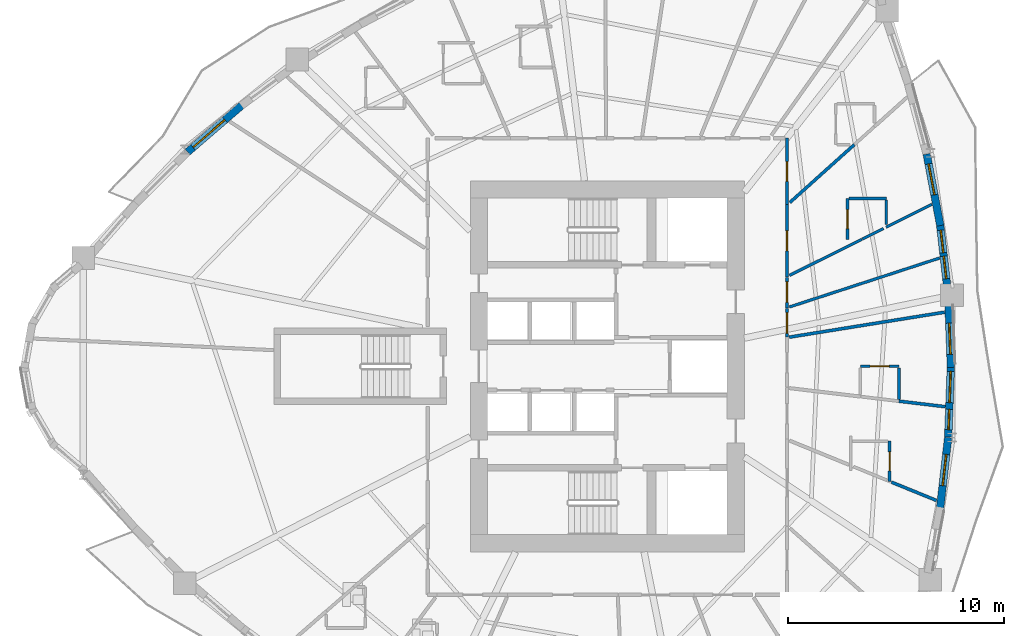
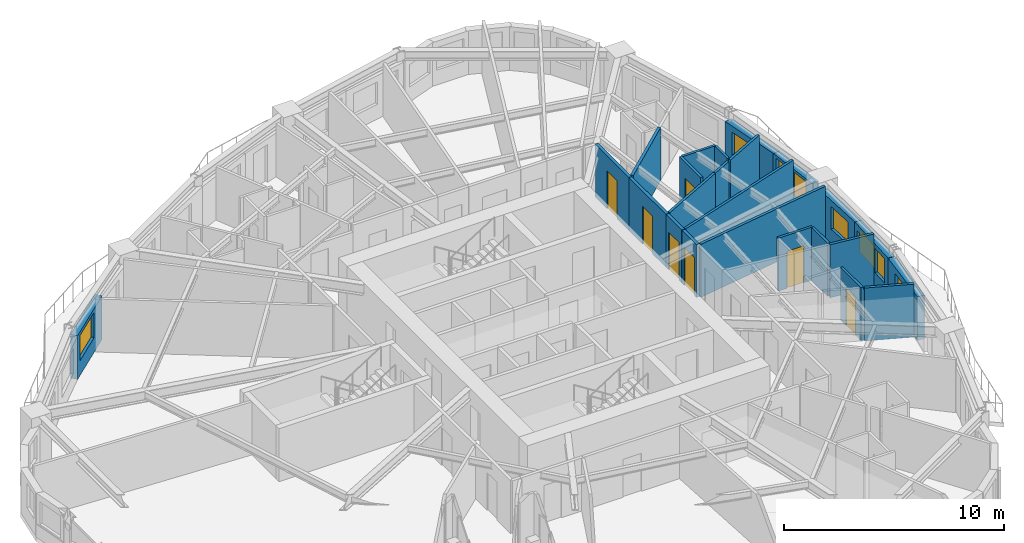
# One storey, part 7 of 14: 24 walls, 8 windows, 7 doors, 15 openings.
"""IFC4 building model written with IfcOpenShell, lengths in metres."""

from ifc_helpers import new_model, si_unit, direction, frame, frame_2d, origin, place, context, subcontext, project, spatial, rectangle, extrude, source, transform, mapped, material, layer, layer_set, type_object, element, fill, save


model = new_model("IFC4")

# Units and contexts
model_context = context("Model", 3, precision=1e-05, world=origin(), true_north=direction((0.0, 1.0)))
body_context = subcontext(model_context, "Body", "Model", "MODEL_VIEW")
ifc_project = project(units=[si_unit("LENGTHUNIT", "METRE"), si_unit("AREAUNIT", "SQUARE_METRE"), si_unit("VOLUMEUNIT", "CUBIC_METRE"), si_unit("PLANEANGLEUNIT", "RADIAN"), si_unit("MASSUNIT", "GRAM", prefix="KILO")], contexts=[model_context])

# Site, building, storey
site_placement = place(None, origin())
site = spatial("IfcSite", under=ifc_project, at=site_placement, CompositionType="ELEMENT")
building_placement = place(site_placement, origin())
building = spatial("IfcBuilding", under=site, at=building_placement, Name="Qafzar Sky-Pleat Residences", CompositionType="ELEMENT")
storey_placement = place(building_placement, frame((0.0, 0.0, 43.0)))
storey = spatial("IfcBuildingStorey", under=building, at=storey_placement, Name="L12", CompositionType="ELEMENT", Elevation=43.0)

# Wall, opening, door
ifc_material_1 = material(Name="Acoustic gypsum plasterboard partition", Category="gypsum")
ifc_layer_1 = layer(ifc_material_1, 0.159912109375)
ifc_layer_set_1 = layer_set([ifc_layer_1], Name="Acoustic gypsum plasterboard partition")
wall_type_1 = type_object("IfcWallType", Name="PART-COR-160", PredefinedType="PARTITIONING", material=ifc_layer_set_1)
wall_1_placement = place(storey_placement, frame((38.679931640625, 33.49609375, 0.0), z_axis=(0.0, 0.0, 1.0), x_axis=(0.0, -1.0, 0.0)))
wall_1 = element("IfcWall", 1, at=wall_1_placement, inside=storey, type_object=wall_type_1, Name="L12 Partition Wall PART-L12-PW-007", PredefinedType="PARTITIONING", context=body_context, shape_type="SweptSolid", body=[
    extrude(rectangle(XDim=3.35498046875, YDim=0.159912109375, at=frame_2d((1.677490234375, 0.0))), origin(), (0.0, 0.0, 1.0), 2.93994140625),
])
opening_1_placement = place(wall_1_placement, frame((1.218994140625, 0.0, 0.0)))
opening_1 = element("IfcOpeningElement", 2, at=opening_1_placement, cuts=wall_1, Name="Opening ID-04", PredefinedType="OPENING", context=body_context, shape_type="SweptSolid", body=[
    extrude(rectangle(XDim=0.919921875, YDim=2.10009765625, at=frame_2d((0.4599609375, 1.050048828125))), frame((0.0, 0.08984375, 0.0), z_axis=(0.0, -1.0, 0.0), x_axis=(1.0, 0.0, 0.0)), (0.0, 0.0, 1.0), 0.179931640625),
])
ifc_material_2 = material(Name="Timber-faced fire door", Category="wood")
door_type_1 = type_object("IfcDoorType", Name="DR-BED-920", OperationType="NOTDEFINED", PredefinedType="DOOR", material=ifc_material_2)
shared_shape_1 = source(origin(), body_context, "Body", "SweptSolid", [
    extrude(rectangle(XDim=0.919921875, YDim=2.10009765625, at=frame_2d((0.4599609375, 1.050048828125))), frame((0.0, 0.02490234375, 0.0), z_axis=(0.0, -1.0, 0.0), x_axis=(1.0, 0.0, 0.0)), (0.0, 0.0, 1.0), 0.050048828125),
])
door_1_placement = place(opening_1_placement, origin())
door_1 = element("IfcDoor", 3, at=door_1_placement, inside=storey, type_object=door_type_1, Name="L12 Co-Living Bedroom 8 Door", OperationType="SINGLE_SWING_RIGHT", OverallHeight=2.10009765625, OverallWidth=0.919921875, PredefinedType="DOOR", context=body_context, shape_type="MappedRepresentation", body=[
    mapped(shared_shape_1, transform((0.0, 0.0, 0.0), x_axis=(1.0, 0.0, 0.0), y_axis=(0.0, 1.0, 0.0), z_axis=(0.0, 0.0, 1.0), scale=1.0)),
])
fill(opening_1, door_1)

wall_2_placement = place(storey_placement, frame((38.679931640625, 36.580078125, 0.0), z_axis=(0.0, 0.0, 1.0), x_axis=(0.0, -1.0, 0.0)))
wall_2 = element("IfcWall", 4, at=wall_2_placement, inside=storey, type_object=wall_type_1, Name="L12 Partition Wall PART-L12-PW-011", PredefinedType="PARTITIONING", context=body_context, shape_type="SweptSolid", body=[
    extrude(rectangle(XDim=3.069091796875, YDim=0.159912109375, at=frame_2d((1.53466796875, 0.0))), origin(), (0.0, 0.0, 1.0), 2.93994140625),
])
opening_2_placement = place(wall_2_placement, frame((1.092041015625, 0.0, 0.0)))
opening_2 = element("IfcOpeningElement", 5, at=opening_2_placement, cuts=wall_2, Name="Opening ID-04", PredefinedType="OPENING", context=body_context, shape_type="SweptSolid", body=[
    extrude(rectangle(XDim=0.919921875, YDim=2.10009765625, at=frame_2d((0.4599609375, 1.050048828125))), frame((0.0, 0.08984375, 0.0), z_axis=(0.0, -1.0, 0.0), x_axis=(1.0, 0.0, 0.0)), (0.0, 0.0, 1.0), 0.179931640625),
])
door_2_placement = place(opening_2_placement, origin())
door_2 = element("IfcDoor", 6, at=door_2_placement, inside=storey, type_object=door_type_1, Name="L12 Co-Living Bedroom 7 Door", OperationType="SINGLE_SWING_RIGHT", OverallHeight=2.10009765625, OverallWidth=0.919921875, PredefinedType="DOOR", context=body_context, shape_type="MappedRepresentation", body=[
    mapped(shared_shape_1, transform((0.0, 0.0, 0.0), x_axis=(1.0, 0.0, 0.0), y_axis=(0.0, 1.0, 0.0), z_axis=(0.0, 0.0, 1.0), scale=1.0)),
])
fill(opening_2, door_2)

wall_3_placement = place(storey_placement, frame((38.679931640625, 30.1259765625, 0.0), z_axis=(0.0, 0.0, 1.0), x_axis=(0.0, -1.0, 0.0)))
wall_3 = element("IfcWall", 7, at=wall_3_placement, inside=storey, type_object=wall_type_1, Name="L12 Partition Wall PART-L12-PW-033", PredefinedType="PARTITIONING", context=body_context, shape_type="SweptSolid", body=[
    extrude(rectangle(XDim=1.426025390625, YDim=0.159912109375, at=frame_2d((0.712890625, 0.0))), origin(), (0.0, 0.0, 1.0), 2.93994140625),
])
opening_3_placement = place(wall_3_placement, frame((0.214111328125, 0.0, 0.0)))
opening_3 = element("IfcOpeningElement", 8, at=opening_3_placement, cuts=wall_3, Name="Opening ID-08", PredefinedType="OPENING", context=body_context, shape_type="SweptSolid", body=[
    extrude(rectangle(XDim=0.949951171875, YDim=2.10009765625, at=frame_2d((0.47509765625, 1.050048828125))), frame((0.0, 0.08984375, 0.0), z_axis=(0.0, -1.0, 0.0), x_axis=(1.0, 0.0, 0.0)), (0.0, 0.0, 1.0), 0.179931640625),
])
door_type_2 = type_object("IfcDoorType", Name="DR-AWC-950", OperationType="NOTDEFINED", PredefinedType="DOOR", material=ifc_material_2)
shared_shape_2 = source(origin(), body_context, "Body", "SweptSolid", [
    extrude(rectangle(XDim=0.949951171875, YDim=2.10009765625, at=frame_2d((0.47509765625, 1.050048828125))), frame((0.0, 0.02490234375, 0.0), z_axis=(0.0, -1.0, 0.0), x_axis=(1.0, 0.0, 0.0)), (0.0, 0.0, 1.0), 0.050048828125),
])
door_3_placement = place(opening_3_placement, origin())
door_3 = element("IfcDoor", 9, at=door_3_placement, inside=storey, type_object=door_type_2, Name="L12 Accessible Shared Washroom Door", OperationType="SINGLE_SWING_LEFT", OverallHeight=2.10009765625, OverallWidth=0.949951171875, PredefinedType="DOOR", context=body_context, shape_type="MappedRepresentation", body=[
    mapped(shared_shape_2, transform((0.0, 0.0, 0.0), x_axis=(1.0, 0.0, 0.0), y_axis=(0.0, 1.0, 0.0), z_axis=(0.0, 0.0, 1.0), scale=1.0)),
])
fill(opening_3, door_3)

wall_4_placement = place(storey_placement, frame((38.679931640625, 28.68505859375, 0.0), z_axis=(0.0, 0.0, 1.0), x_axis=(0.0, -1.0, 0.0)))
wall_4 = element("IfcWall", 10, at=wall_4_placement, inside=storey, type_object=wall_type_1, Name="L12 Partition Wall PART-L12-PW-035", PredefinedType="PARTITIONING", context=body_context, shape_type="SweptSolid", body=[
    extrude(rectangle(XDim=1.317138671875, YDim=0.159912109375, at=frame_2d((0.65869140625, 0.0))), origin(), (0.0, 0.0, 1.0), 2.93994140625),
])
opening_4_placement = place(wall_4_placement, frame((0.1962890625, 0.0, 0.0)))
opening_4 = element("IfcOpeningElement", 11, at=opening_4_placement, cuts=wall_4, Name="Opening ID-06", PredefinedType="OPENING", context=body_context, shape_type="SweptSolid", body=[
    extrude(rectangle(XDim=0.9599609375, YDim=2.10009765625, at=frame_2d((0.47998046875, 1.050048828125))), frame((0.0, 0.08984375, 0.0), z_axis=(0.0, -1.0, 0.0), x_axis=(1.0, 0.0, 0.0)), (0.0, 0.0, 1.0), 0.179931640625),
])
door_type_3 = type_object("IfcDoorType", Name="DR-STD-960", OperationType="NOTDEFINED", PredefinedType="DOOR", material=ifc_material_2)
shared_shape_3 = source(origin(), body_context, "Body", "SweptSolid", [
    extrude(rectangle(XDim=0.9599609375, YDim=2.10009765625, at=frame_2d((0.47998046875, 1.050048828125))), frame((0.0, 0.02490234375, 0.0), z_axis=(0.0, -1.0, 0.0), x_axis=(1.0, 0.0, 0.0)), (0.0, 0.0, 1.0), 0.050048828125),
])
door_4_placement = place(opening_4_placement, origin())
door_4 = element("IfcDoor", 12, at=door_4_placement, inside=storey, type_object=door_type_3, Name="L12 Scholar Study Room Door", OperationType="SINGLE_SWING_LEFT", OverallHeight=2.10009765625, OverallWidth=0.9599609375, PredefinedType="DOOR", context=body_context, shape_type="MappedRepresentation", body=[
    mapped(shared_shape_3, transform((0.0, 0.0, 0.0), x_axis=(1.0, 0.0, 0.0), y_axis=(0.0, 1.0, 0.0), z_axis=(0.0, 0.0, 1.0), scale=1.0)),
])
fill(opening_4, door_4)

# Walls
ifc_layer_2 = layer(ifc_material_1, 0.14501953125)
ifc_layer_set_2 = layer_set([ifc_layer_2], Name="Acoustic gypsum plasterboard partition")
wall_type_2 = type_object("IfcWallType", Name="PART-UNIT-145", PredefinedType="PARTITIONING", material=ifc_layer_set_2)
wall_5_placement = place(storey_placement, frame((38.779296875, 27.35302734375, 0.0), z_axis=(0.0, 0.0, 1.0), x_axis=(0.987345710334, 0.158582622897, 0.0)))
element("IfcWall", 13, at=wall_5_placement, inside=storey, type_object=wall_type_2, Name="L12 Partition Wall PART-L12-PW-048", PredefinedType="PARTITIONING", context=body_context, shape_type="SweptSolid", body=[
    extrude(rectangle(XDim=7.30029296875, YDim=0.14501953125, at=frame_2d((3.650146484375, 0.0))), origin(), (0.0, 0.0, 1.0), 2.93994140625),
])
wall_6_placement = place(storey_placement, frame((38.814453125, 33.5966796875, 0.0), z_axis=(0.0, 0.0, 1.0), x_axis=(0.74417856937, 0.667980730927, 0.0)))
element("IfcWall", 14, at=wall_6_placement, inside=storey, type_object=wall_type_2, Name="L12 Partition Wall PART-L12-PW-053", PredefinedType="PARTITIONING", context=body_context, shape_type="SweptSolid", body=[
    extrude(rectangle(XDim=4.005126953125, YDim=0.14501953125, at=frame_2d((2.00244140625, 0.0))), origin(), (0.0, 0.0, 1.0), 2.93994140625),
])
wall_7_placement = place(storey_placement, frame((43.516845703125, 20.636474609375, 0.0), z_axis=(0.0, 0.0, 1.0), x_axis=(0.926053250015, -0.377392869747, 0.0)))
element("IfcWall", 15, at=wall_7_placement, inside=storey, type_object=wall_type_2, Name="L12 Partition Wall PART-L12-PW-065", PredefinedType="PARTITIONING", context=body_context, shape_type="SweptSolid", body=[
    extrude(rectangle(XDim=2.26220703125, YDim=0.14501953125, at=frame_2d((1.131103515625, 0.0))), origin(), (0.0, 0.0, 1.0), 2.93994140625),
])
wall_8_placement = place(storey_placement, frame((43.861083984375, 24.387939453125, 0.0), z_axis=(0.0, 0.0, 1.0), x_axis=(0.992948573357, -0.118545901105, 0.0)))
element("IfcWall", 16, at=wall_8_placement, inside=storey, type_object=wall_type_2, Name="L12 Partition Wall PART-L12-PW-067", PredefinedType="PARTITIONING", context=body_context, shape_type="SweptSolid", body=[
    extrude(rectangle(XDim=2.168701171875, YDim=0.14501953125, at=frame_2d((1.08447265625, 0.0))), origin(), (0.0, 0.0, 1.0), 2.93994140625),
])

# Wall, opening, door
ifc_material_3 = material(Name="Moisture-resistant gypsum partition", Category="gypsum")
ifc_layer_3 = layer(ifc_material_3, 0.1298828125)
ifc_layer_set_3 = layer_set([ifc_layer_3], Name="Moisture-resistant gypsum partition")
wall_type_3 = type_object("IfcWallType", Name="PART-WET-130", PredefinedType="PARTITIONING", material=ifc_layer_set_3)
wall_9_placement = place(storey_placement, frame((41.48193359375, 33.777099609375, 0.0), z_axis=(0.0, 0.0, 1.0), x_axis=(0.0, -1.0, 0.0)))
wall_9 = element("IfcWall", 17, at=wall_9_placement, inside=storey, type_object=wall_type_3, Name="L12 Partition Wall PART-L12-PW-020", PredefinedType="PARTITIONING", context=body_context, shape_type="SweptSolid", body=[
    extrude(rectangle(XDim=1.900146484375, YDim=0.1298828125, at=frame_2d((0.9501953125, 0.0))), origin(), (0.0, 0.0, 1.0), 2.93994140625),
])
opening_5_placement = place(wall_9_placement, frame((0.510009765625, 0.0, 0.0)))
opening_5 = element("IfcOpeningElement", 18, at=opening_5_placement, cuts=wall_9, Name="Opening ID-07", PredefinedType="OPENING", context=body_context, shape_type="SweptSolid", body=[
    extrude(rectangle(XDim=0.8798828125, YDim=2.050048828125, at=frame_2d((0.43994140625, 1.02490234375))), frame((0.0, 0.074951171875, 0.0), z_axis=(0.0, -1.0, 0.0), x_axis=(1.0, 0.0, 0.0)), (0.0, 0.0, 1.0), 0.14990234375),
])
door_type_4 = type_object("IfcDoorType", Name="DR-WET-880", OperationType="NOTDEFINED", PredefinedType="DOOR", material=ifc_material_2)
shared_shape_4 = source(origin(), body_context, "Body", "SweptSolid", [
    extrude(rectangle(XDim=0.8798828125, YDim=2.050048828125, at=frame_2d((0.43994140625, 1.02490234375))), frame((0.0, 0.02490234375, 0.0), z_axis=(0.0, -1.0, 0.0), x_axis=(1.0, 0.0, 0.0)), (0.0, 0.0, 1.0), 0.050048828125),
])
door_5_placement = place(opening_5_placement, origin())
door_5 = element("IfcDoor", 19, at=door_5_placement, inside=storey, type_object=door_type_4, Name="L12 En-suite Bathroom 8 Door", OperationType="SINGLE_SWING_RIGHT", OverallHeight=2.050048828125, OverallWidth=0.8798828125, PredefinedType="DOOR", context=body_context, shape_type="MappedRepresentation", body=[
    mapped(shared_shape_4, transform((0.0, 0.0, 0.0), x_axis=(1.0, 0.0, 0.0), y_axis=(0.0, 1.0, 0.0), z_axis=(0.0, 0.0, 1.0), scale=1.0)),
])
fill(opening_5, door_5)

wall_10_placement = place(storey_placement, frame((43.431884765625, 20.6708984375, 0.0), z_axis=(0.0, 0.0, 1.0), x_axis=(0.0, 1.0, 0.0)))
wall_10 = element("IfcWall", 20, at=wall_10_placement, inside=storey, type_object=wall_type_3, Name="L12 Partition Wall PART-L12-PW-028", PredefinedType="PARTITIONING", context=body_context, shape_type="SweptSolid", body=[
    extrude(rectangle(XDim=1.859130859375, YDim=0.1298828125, at=frame_2d((0.9296875, 0.0))), origin(), (0.0, 0.0, 1.0), 2.93994140625),
])
opening_6_placement = place(wall_10_placement, frame((0.489501953125, 0.0, 0.0)))
opening_6 = element("IfcOpeningElement", 21, at=opening_6_placement, cuts=wall_10, Name="Opening ID-07", PredefinedType="OPENING", context=body_context, shape_type="SweptSolid", body=[
    extrude(rectangle(XDim=0.8798828125, YDim=2.050048828125, at=frame_2d((0.43994140625, 1.02490234375))), frame((0.0, 0.074951171875, 0.0), z_axis=(0.0, -1.0, 0.0), x_axis=(1.0, 0.0, 0.0)), (0.0, 0.0, 1.0), 0.14990234375),
])
door_6_placement = place(opening_6_placement, origin())
door_6 = element("IfcDoor", 22, at=door_6_placement, inside=storey, type_object=door_type_4, Name="L12 En-suite Bathroom 5 Door", OperationType="SINGLE_SWING_RIGHT", OverallHeight=2.050048828125, OverallWidth=0.8798828125, PredefinedType="DOOR", context=body_context, shape_type="MappedRepresentation", body=[
    mapped(shared_shape_4, transform((0.0, 0.0, 0.0), x_axis=(1.0, 0.0, 0.0), y_axis=(0.0, 1.0, 0.0), z_axis=(0.0, 0.0, 1.0), scale=1.0)),
])
fill(opening_6, door_6)

wall_11_placement = place(storey_placement, frame((43.8759765625, 26.008056640625, 0.0), z_axis=(0.0, 0.0, 1.0), x_axis=(-1.0, 0.0, 0.0)))
wall_11 = element("IfcWall", 23, at=wall_11_placement, inside=storey, type_object=wall_type_3, Name="L12 Partition Wall PART-L12-PW-031", PredefinedType="PARTITIONING", context=body_context, shape_type="SweptSolid", body=[
    extrude(rectangle(XDim=1.800048828125, YDim=0.1298828125, at=frame_2d((0.89990234375, 0.0))), origin(), (0.0, 0.0, 1.0), 2.93994140625),
])
opening_7_placement = place(wall_11_placement, frame((0.4599609375, 0.0, 0.0)))
opening_7 = element("IfcOpeningElement", 24, at=opening_7_placement, cuts=wall_11, Name="Opening ID-07", PredefinedType="OPENING", context=body_context, shape_type="SweptSolid", body=[
    extrude(rectangle(XDim=0.8798828125, YDim=2.050048828125, at=frame_2d((0.43994140625, 1.02490234375))), frame((0.0, 0.074951171875, 0.0), z_axis=(0.0, -1.0, 0.0), x_axis=(1.0, 0.0, 0.0)), (0.0, 0.0, 1.0), 0.14990234375),
])
door_7_placement = place(opening_7_placement, origin())
door_7 = element("IfcDoor", 25, at=door_7_placement, inside=storey, type_object=door_type_4, Name="L12 En-suite Bathroom 6 Door", OperationType="SINGLE_SWING_LEFT", OverallHeight=2.050048828125, OverallWidth=0.8798828125, PredefinedType="DOOR", context=body_context, shape_type="MappedRepresentation", body=[
    mapped(shared_shape_4, transform((0.0, 0.0, 0.0), x_axis=(1.0, 0.0, 0.0), y_axis=(0.0, 1.0, 0.0), z_axis=(0.0, 0.0, 1.0), scale=1.0)),
])
fill(opening_7, door_7)

# Walls
wall_12_placement = place(storey_placement, frame((38.787841796875, 28.751220703125, 0.0), z_axis=(0.0, 0.0, 1.0), x_axis=(0.95075822996, 0.309933522169, 0.0)))
element("IfcWall", 26, at=wall_12_placement, inside=storey, type_object=wall_type_3, Name="L12 Partition Wall PART-L12-PW-047", PredefinedType="PARTITIONING", context=body_context, shape_type="SweptSolid", body=[
    extrude(rectangle(XDim=7.327392578125, YDim=0.1298828125, at=frame_2d((3.66357421875, 0.0))), origin(), (0.0, 0.0, 1.0), 2.93994140625),
])
wall_13_placement = place(storey_placement, frame((38.796142578125, 30.216064453125, 0.0), z_axis=(0.0, 0.0, 1.0), x_axis=(0.894739227469, 0.446588977503, 0.0)))
element("IfcWall", 27, at=wall_13_placement, inside=storey, type_object=wall_type_3, Name="L12 Partition Wall PART-L12-PW-054", PredefinedType="PARTITIONING", context=body_context, shape_type="SweptSolid", body=[
    extrude(rectangle(XDim=3.7529296875, YDim=0.1298828125, at=frame_2d((1.87646484375, 0.0))), origin(), (0.0, 0.0, 1.0), 2.93994140625),
])
wall_14_placement = place(storey_placement, frame((43.26708984375, 32.447998046875, 0.0), z_axis=(0.0, 0.0, 1.0), x_axis=(0.894755827923, 0.446555717014, 0.0)))
element("IfcWall", 28, at=wall_14_placement, inside=storey, type_object=wall_type_3, Name="L12 Partition Wall PART-L12-PW-064", PredefinedType="PARTITIONING", context=body_context, shape_type="SweptSolid", body=[
    extrude(rectangle(XDim=2.37548828125, YDim=0.1298828125, at=frame_2d((1.187744140625, 0.0))), origin(), (0.0, 0.0, 1.0), 2.93994140625),
])
wall_15_placement = place(storey_placement, frame((41.554931640625, 33.777099609375, 0.0), z_axis=(0.0, 0.0, 1.0), x_axis=(1.0, 0.0, 0.0)))
element("IfcWall", 29, at=wall_15_placement, inside=storey, type_object=wall_type_3, Name="L12 Partition Wall PART-L12-PW-081", PredefinedType="PARTITIONING", context=body_context, shape_type="SweptSolid", body=[
    extrude(rectangle(XDim=1.72705078125, YDim=0.1298828125, at=frame_2d((0.863525390625, 0.0))), origin(), (0.0, 0.0, 1.0), 2.93994140625),
])
wall_16_placement = place(storey_placement, frame((43.8759765625, 24.474853515625, 0.0), z_axis=(0.0, 0.0, 1.0), x_axis=(0.0, 1.0, 0.0)))
element("IfcWall", 30, at=wall_16_placement, inside=storey, type_object=wall_type_3, Name="L12 Partition Wall PART-L12-PW-086", PredefinedType="PARTITIONING", context=body_context, shape_type="SweptSolid", body=[
    extrude(rectangle(XDim=1.460205078125, YDim=0.1298828125, at=frame_2d((0.72998046875, 0.0))), origin(), (0.0, 0.0, 1.0), 2.93994140625),
])
wall_17_placement = place(storey_placement, frame((43.281982421875, 32.568115234375, 0.0), z_axis=(0.0, 0.0, 1.0), x_axis=(0.0, 1.0, 0.0)))
element("IfcWall", 31, at=wall_17_placement, inside=storey, type_object=wall_type_3, Name="L12 Partition Wall PART-L12-PW-092", PredefinedType="PARTITIONING", context=body_context, shape_type="SweptSolid", body=[
    extrude(rectangle(XDim=1.135986328125, YDim=0.1298828125, at=frame_2d((0.56787109375, 0.0))), origin(), (0.0, 0.0, 1.0), 2.93994140625),
])
wall_18_placement = place(storey_placement, frame((42.16748046875, 31.898681640625, 0.0), z_axis=(0.0, 0.0, 1.0), x_axis=(0.894604533516, 0.446858734515, 0.0)))
element("IfcWall", 32, at=wall_18_placement, inside=storey, type_object=wall_type_3, Name="L12 Partition Wall PART-L12-PW-096", PredefinedType="PARTITIONING", context=body_context, shape_type="SweptSolid", body=[
    extrude(rectangle(XDim=1.100830078125, YDim=0.1298828125, at=frame_2d((0.55029296875, 0.0))), origin(), (0.0, 0.0, 1.0), 2.93994140625),
])

# Wall, opening, window
ifc_material_4 = material(Name="Precast concrete C40/50 with honed Riyadh limestone", Category="concrete")
ifc_layer_4 = layer(ifc_material_4, 0.35009765625)
ifc_layer_set_4 = layer_set([ifc_layer_4], Name="Precast concrete C40/50 with honed Riyadh limestone")
wall_type_4 = type_object("IfcWallType", Name="WALL-EXT-350", PredefinedType="SOLIDWALL", material=ifc_layer_set_4)
wall_19_placement = place(storey_placement, frame((45.770263671875, 19.38818359375, 0.0), z_axis=(0.0, 0.0, 1.0), x_axis=(0.113282408476, 0.993562829382, 0.0)))
wall_19 = element("IfcWall", 33, at=wall_19_placement, inside=storey, type_object=wall_type_4, Name="L12 Limestone Facade Wall 26", PredefinedType="SOLIDWALL", context=body_context, shape_type="SweptSolid", body=[
    extrude(rectangle(XDim=3.336181640625, YDim=0.35009765625, at=frame_2d((1.66796875, 0.0))), origin(), (0.0, 0.0, 1.0), 2.419921875),
])
opening_8_placement = place(wall_19_placement, frame((1.09521484375, 0.0, 0.820068359375)))
opening_8 = element("IfcOpeningElement", 34, at=opening_8_placement, cuts=wall_19, Name="Opening WN-15", PredefinedType="OPENING", context=body_context, shape_type="SweptSolid", body=[
    extrude(rectangle(XDim=1.449951171875, YDim=1.25, at=frame_2d((0.72509765625, 0.625))), frame((0.0, 0.18505859375, 0.0), z_axis=(0.0, -1.0, 0.0), x_axis=(1.0, 0.0, 0.0)), (0.0, 0.0, 1.0), 0.3701171875),
])
ifc_material_5 = material(Name="Solar-control low-E glass in bronze aluminium frame", Category="glass")
window_type_1 = type_object("IfcWindowType", Name="WIN-15", PartitioningType="SINGLE_PANEL", PredefinedType="WINDOW", material=ifc_material_5)
shared_shape_5 = source(origin(), body_context, "Body", "SweptSolid", [
    extrude(rectangle(XDim=1.449951171875, YDim=1.25, at=frame_2d((0.72509765625, 0.625))), frame((0.0, 0.030029296875, 0.0), z_axis=(0.0, -1.0, 0.0), x_axis=(1.0, 0.0, 0.0)), (0.0, 0.0, 1.0), 0.06005859375),
])
window_1_placement = place(opening_8_placement, origin())
window_1 = element("IfcWindow", 35, at=window_1_placement, inside=storey, type_object=window_type_1, Name="L12 Punched Facade Window 26", OverallHeight=1.25, OverallWidth=1.449951171875, PartitioningType="SINGLE_PANEL", PredefinedType="WINDOW", context=body_context, shape_type="MappedRepresentation", body=[
    mapped(shared_shape_5, transform((0.0, 0.0, 0.0), x_axis=(1.0, 0.0, 0.0), y_axis=(0.0, 1.0, 0.0), z_axis=(0.0, 0.0, 1.0), scale=1.0)),
])
fill(opening_8, window_1)

# Wall, openings, windows
wall_20_placement = place(storey_placement, frame((46.150146484375, 22.7294921875, 0.0), z_axis=(0.0, 0.0, 1.0), x_axis=(0.03797244671, 0.999278786571, 0.0)))
wall_20 = element("IfcWall", 36, at=wall_20_placement, inside=storey, type_object=wall_type_4, Name="L12 Limestone Facade Wall 27", PredefinedType="SOLIDWALL", context=body_context, shape_type="SweptSolid", body=[
    extrude(rectangle(XDim=3.317626953125, YDim=0.35009765625, at=frame_2d((1.65869140625, 0.0))), origin(), (0.0, 0.0, 1.0), 2.419921875),
])
opening_9_placement = place(wall_20_placement, frame((0.33154296875, 0.0, 0.820068359375)))
opening_9 = element("IfcOpeningElement", 37, at=opening_9_placement, cuts=wall_20, Name="Opening WN-12", PredefinedType="OPENING", context=body_context, shape_type="SweptSolid", body=[
    extrude(rectangle(XDim=0.949951171875, YDim=1.35009765625, at=frame_2d((0.47509765625, 0.675048828125))), frame((0.0, 0.18505859375, 0.0), z_axis=(0.0, -1.0, 0.0), x_axis=(1.0, 0.0, 0.0)), (0.0, 0.0, 1.0), 0.3701171875),
])
opening_10_placement = place(wall_20_placement, frame((1.59033203125, 0.0, 0.820068359375)))
opening_10 = element("IfcOpeningElement", 38, at=opening_10_placement, cuts=wall_20, Name="Opening WN-15", PredefinedType="OPENING", context=body_context, shape_type="SweptSolid", body=[
    extrude(rectangle(XDim=1.449951171875, YDim=1.25, at=frame_2d((0.72509765625, 0.625))), frame((0.0, 0.18505859375, 0.0), z_axis=(0.0, -1.0, 0.0), x_axis=(1.0, 0.0, 0.0)), (0.0, 0.0, 1.0), 0.3701171875),
])
window_type_2 = type_object("IfcWindowType", Name="WIN-12", PartitioningType="SINGLE_PANEL", PredefinedType="WINDOW", material=ifc_material_5)
shared_shape_6 = source(origin(), body_context, "Body", "SweptSolid", [
    extrude(rectangle(XDim=0.949951171875, YDim=1.35009765625, at=frame_2d((0.47509765625, 0.675048828125))), frame((0.0, 0.030029296875, 0.0), z_axis=(0.0, -1.0, 0.0), x_axis=(1.0, 0.0, 0.0)), (0.0, 0.0, 1.0), 0.06005859375),
])
window_2_placement = place(opening_9_placement, origin())
window_2 = element("IfcWindow", 39, at=window_2_placement, inside=storey, type_object=window_type_2, Name="L12 Punched Facade Window 27", OverallHeight=1.35009765625, OverallWidth=0.949951171875, PartitioningType="SINGLE_PANEL", PredefinedType="WINDOW", context=body_context, shape_type="MappedRepresentation", body=[
    mapped(shared_shape_6, transform((0.0, 0.0, 0.0), x_axis=(1.0, 0.0, 0.0), y_axis=(0.0, 1.0, 0.0), z_axis=(0.0, 0.0, 1.0), scale=1.0)),
])
fill(opening_9, window_2)
window_3_placement = place(opening_10_placement, origin())
window_3 = element("IfcWindow", 40, at=window_3_placement, inside=storey, type_object=window_type_1, Name="L12 Punched Facade Window 27-2", OverallHeight=1.25, OverallWidth=1.449951171875, PartitioningType="SINGLE_PANEL", PredefinedType="WINDOW", context=body_context, shape_type="MappedRepresentation", body=[
    mapped(shared_shape_5, transform((0.0, 0.0, 0.0), x_axis=(1.0, 0.0, 0.0), y_axis=(0.0, 1.0, 0.0), z_axis=(0.0, 0.0, 1.0), scale=1.0)),
])
fill(opening_10, window_3)

# Wall, opening, window
wall_21_placement = place(storey_placement, frame((46.276123046875, 25.955322265625, 0.0), z_axis=(0.0, 0.0, 1.0), x_axis=(-0.037939203929, 0.999280049238, 0.0)))
wall_21 = element("IfcWall", 41, at=wall_21_placement, inside=storey, type_object=wall_type_4, Name="L12 Limestone Facade Wall 28", PredefinedType="SOLIDWALL", context=body_context, shape_type="SweptSolid", body=[
    extrude(rectangle(XDim=3.037353515625, YDim=0.35009765625, at=frame_2d((1.5185546875, 0.0))), origin(), (0.0, 0.0, 1.0), 2.419921875),
])
opening_11_placement = place(wall_21_placement, frame((0.598876953125, 0.0, 0.820068359375)))
opening_11 = element("IfcOpeningElement", 42, at=opening_11_placement, cuts=wall_21, Name="Opening WN-15", PredefinedType="OPENING", context=body_context, shape_type="SweptSolid", body=[
    extrude(rectangle(XDim=1.449951171875, YDim=1.25, at=frame_2d((0.72509765625, 0.625))), frame((0.0, 0.18505859375, 0.0), z_axis=(0.0, -1.0, 0.0), x_axis=(1.0, 0.0, 0.0)), (0.0, 0.0, 1.0), 0.3701171875),
])
window_4_placement = place(opening_11_placement, origin())
window_4 = element("IfcWindow", 43, at=window_4_placement, inside=storey, type_object=window_type_1, Name="L12 Punched Facade Window 28", OverallHeight=1.25, OverallWidth=1.449951171875, PartitioningType="SINGLE_PANEL", PredefinedType="WINDOW", context=body_context, shape_type="MappedRepresentation", body=[
    mapped(shared_shape_5, transform((0.0, 0.0, 0.0), x_axis=(1.0, 0.0, 0.0), y_axis=(0.0, 1.0, 0.0), z_axis=(0.0, 0.0, 1.0), scale=1.0)),
])
fill(opening_11, window_4)

# Wall, openings, windows
wall_22_placement = place(storey_placement, frame((46.116455078125, 29.5751953125, 0.0), z_axis=(0.0, 0.0, 1.0), x_axis=(-0.113271733229, 0.993564046477, 0.0)))
wall_22 = element("IfcWall", 44, at=wall_22_placement, inside=storey, type_object=wall_type_4, Name="L12 Limestone Facade Wall 29", PredefinedType="SOLIDWALL", context=body_context, shape_type="SweptSolid", body=[
    extrude(rectangle(XDim=3.056396484375, YDim=0.35009765625, at=frame_2d((1.5283203125, 0.0))), origin(), (0.0, 0.0, 1.0), 2.419921875),
])
opening_12_placement = place(wall_22_placement, frame((0.492431640625, 0.0, 0.820068359375)))
opening_12 = element("IfcOpeningElement", 45, at=opening_12_placement, cuts=wall_22, Name="Opening WN-06", PredefinedType="OPENING", context=body_context, shape_type="SweptSolid", body=[
    extrude(rectangle(XDim=1.050048828125, YDim=1.449951171875, at=frame_2d((0.52490234375, 0.72509765625))), frame((0.0, 0.18505859375, 0.0), z_axis=(0.0, -1.0, 0.0), x_axis=(1.0, 0.0, 0.0)), (0.0, 0.0, 1.0), 0.3701171875),
])
opening_13_placement = place(wall_22_placement, frame((1.70556640625, 0.0, 0.820068359375)))
opening_13 = element("IfcOpeningElement", 46, at=opening_13_placement, cuts=wall_22, Name="Opening WN-06", PredefinedType="OPENING", context=body_context, shape_type="SweptSolid", body=[
    extrude(rectangle(XDim=1.050048828125, YDim=1.449951171875, at=frame_2d((0.52490234375, 0.72509765625))), frame((0.0, 0.18505859375, 0.0), z_axis=(0.0, -1.0, 0.0), x_axis=(1.0, 0.0, 0.0)), (0.0, 0.0, 1.0), 0.3701171875),
])
window_type_3 = type_object("IfcWindowType", Name="WIN-06", PartitioningType="SINGLE_PANEL", PredefinedType="WINDOW", material=ifc_material_5)
shared_shape_7 = source(origin(), body_context, "Body", "SweptSolid", [
    extrude(rectangle(XDim=1.050048828125, YDim=1.449951171875, at=frame_2d((0.52490234375, 0.72509765625))), frame((0.0, 0.030029296875, 0.0), z_axis=(0.0, -1.0, 0.0), x_axis=(1.0, 0.0, 0.0)), (0.0, 0.0, 1.0), 0.06005859375),
])
window_5_placement = place(opening_12_placement, origin())
window_5 = element("IfcWindow", 47, at=window_5_placement, inside=storey, type_object=window_type_3, Name="L12 Punched Facade Window 29", OverallHeight=1.449951171875, OverallWidth=1.050048828125, PartitioningType="SINGLE_PANEL", PredefinedType="WINDOW", context=body_context, shape_type="MappedRepresentation", body=[
    mapped(shared_shape_7, transform((0.0, 0.0, 0.0), x_axis=(1.0, 0.0, 0.0), y_axis=(0.0, 1.0, 0.0), z_axis=(0.0, 0.0, 1.0), scale=1.0)),
])
fill(opening_12, window_5)
window_6_placement = place(opening_13_placement, origin())
window_6 = element("IfcWindow", 48, at=window_6_placement, inside=storey, type_object=window_type_3, Name="L12 Punched Facade Window 29-2", OverallHeight=1.449951171875, OverallWidth=1.050048828125, PartitioningType="SINGLE_PANEL", PredefinedType="WINDOW", context=body_context, shape_type="MappedRepresentation", body=[
    mapped(shared_shape_7, transform((0.0, 0.0, 0.0), x_axis=(1.0, 0.0, 0.0), y_axis=(0.0, 1.0, 0.0), z_axis=(0.0, 0.0, 1.0), scale=1.0)),
])
fill(opening_13, window_6)

# Wall, opening, window
wall_23_placement = place(storey_placement, frame((45.78369140625, 32.52392578125, 0.0), z_axis=(0.0, 0.0, 1.0), x_axis=(-0.186686485801, 0.982419541754, 0.0)))
wall_23 = element("IfcWall", 49, at=wall_23_placement, inside=storey, type_object=wall_type_4, Name="L12 Limestone Facade Wall 30", PredefinedType="SOLIDWALL", context=body_context, shape_type="SweptSolid", body=[
    extrude(rectangle(XDim=3.3740234375, YDim=0.35009765625, at=frame_2d((1.68701171875, 0.0))), origin(), (0.0, 0.0, 1.0), 2.419921875),
])
opening_14_placement = place(wall_23_placement, frame((1.457275390625, 0.0, 0.820068359375)))
opening_14 = element("IfcOpeningElement", 50, at=opening_14_placement, cuts=wall_23, Name="Opening WN-15", PredefinedType="OPENING", context=body_context, shape_type="SweptSolid", body=[
    extrude(rectangle(XDim=1.449951171875, YDim=1.25, at=frame_2d((0.72509765625, 0.625))), frame((0.0, 0.18505859375, 0.0), z_axis=(0.0, -1.0, 0.0), x_axis=(1.0, 0.0, 0.0)), (0.0, 0.0, 1.0), 0.3701171875),
])
window_7_placement = place(opening_14_placement, origin())
window_7 = element("IfcWindow", 51, at=window_7_placement, inside=storey, type_object=window_type_1, Name="L12 Punched Facade Window 30-2", OverallHeight=1.25, OverallWidth=1.449951171875, PartitioningType="SINGLE_PANEL", PredefinedType="WINDOW", context=body_context, shape_type="MappedRepresentation", body=[
    mapped(shared_shape_5, transform((0.0, 0.0, 0.0), x_axis=(1.0, 0.0, 0.0), y_axis=(0.0, 1.0, 0.0), z_axis=(0.0, 0.0, 1.0), scale=1.0)),
])
fill(opening_14, window_7)

wall_24_placement = place(storey_placement, frame((13.458251953125, 38.13916015625, 0.0), z_axis=(0.0, 0.0, 1.0), x_axis=(-0.757450680395, -0.652892385289, 0.0)))
wall_24 = element("IfcWall", 52, at=wall_24_placement, inside=storey, type_object=wall_type_4, Name="L12 Limestone Facade Wall 46", PredefinedType="SOLIDWALL", context=body_context, shape_type="SweptSolid", body=[
    extrude(rectangle(XDim=3.3740234375, YDim=0.35009765625, at=frame_2d((1.68701171875, 0.0))), origin(), (0.0, 0.0, 1.0), 2.419921875),
])
opening_15_placement = place(wall_24_placement, frame((1.0966796875, 0.0, 0.820068359375)))
opening_15 = element("IfcOpeningElement", 53, at=opening_15_placement, cuts=wall_24, Name="Opening WN-08", PredefinedType="OPENING", context=body_context, shape_type="SweptSolid", body=[
    extrude(rectangle(XDim=1.949951171875, YDim=1.39990234375, at=frame_2d((0.97509765625, 0.699951171875))), frame((0.0, 0.18505859375, 0.0), z_axis=(0.0, -1.0, 0.0), x_axis=(1.0, 0.0, 0.0)), (0.0, 0.0, 1.0), 0.3701171875),
])
window_type_4 = type_object("IfcWindowType", Name="WIN-08", PartitioningType="DOUBLE_PANEL_VERTICAL", PredefinedType="WINDOW", material=ifc_material_5)
shared_shape_8 = source(origin(), body_context, "Body", "SweptSolid", [
    extrude(rectangle(XDim=1.949951171875, YDim=1.39990234375, at=frame_2d((0.97509765625, 0.699951171875))), frame((0.0, 0.030029296875, 0.0), z_axis=(0.0, -1.0, 0.0), x_axis=(1.0, 0.0, 0.0)), (0.0, 0.0, 1.0), 0.06005859375),
])
window_8_placement = place(opening_15_placement, origin())
window_8 = element("IfcWindow", 54, at=window_8_placement, inside=storey, type_object=window_type_4, Name="L12 Punched Facade Window 46-2", OverallHeight=1.39990234375, OverallWidth=1.949951171875, PartitioningType="SINGLE_PANEL", PredefinedType="WINDOW", context=body_context, shape_type="MappedRepresentation", body=[
    mapped(shared_shape_8, transform((0.0, 0.0, 0.0), x_axis=(1.0, 0.0, 0.0), y_axis=(0.0, 1.0, 0.0), z_axis=(0.0, 0.0, 1.0), scale=1.0)),
])
fill(opening_15, window_8)

save(model, "model.ifc")
